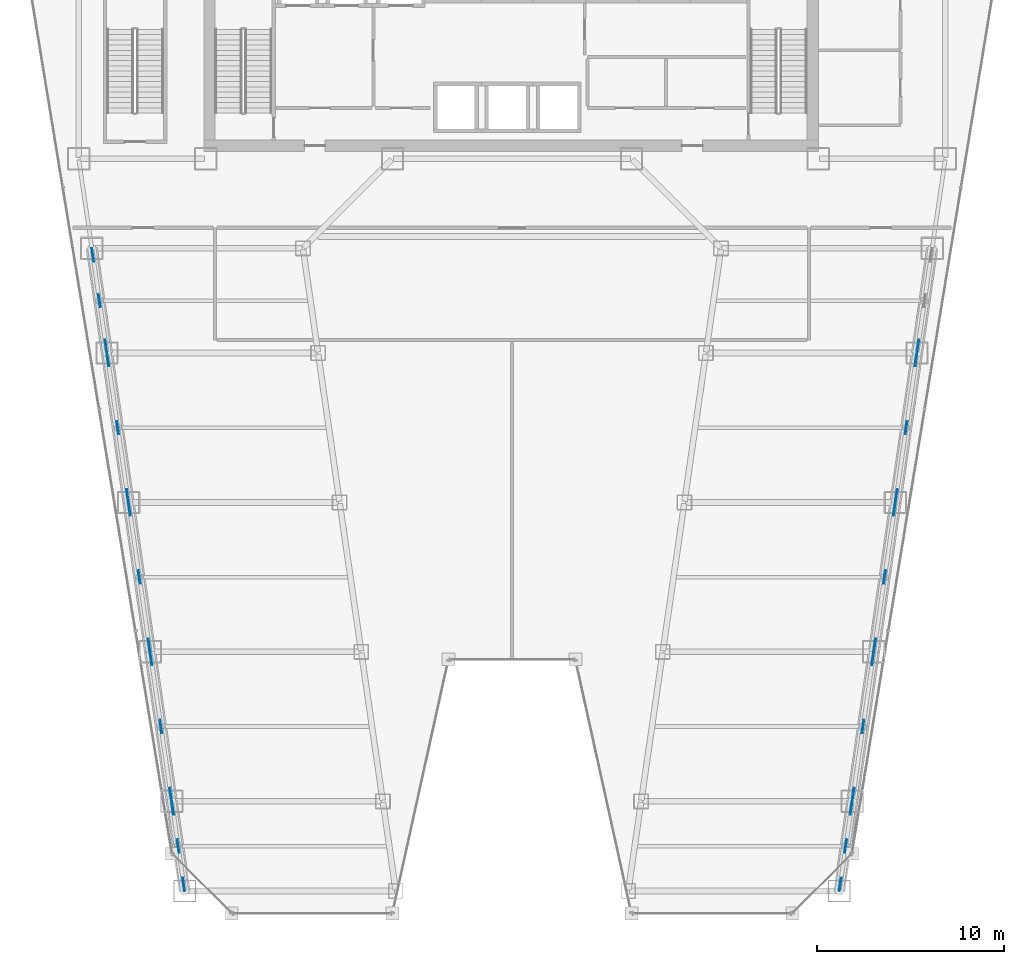
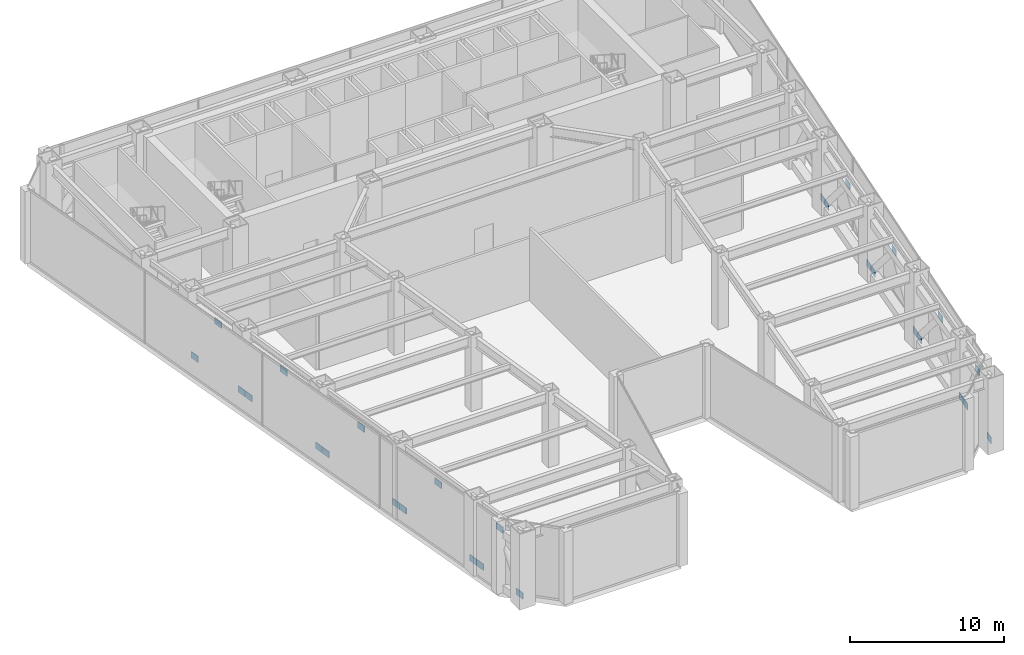
# One storey, part 29 of 35: 28 plates.
"""IFC4 building model written with IfcOpenShell, lengths in metres."""

from ifc_helpers import new_model, si_unit, direction, frame, origin, origin_2d, place, context, subcontext, project, spatial, rectangle, extrude, material, layer, layer_set, type_object, element, save


model = new_model("IFC4")

# Units and contexts
model_context = context("Model", 3, precision=1e-05, world=origin(), true_north=direction((0.0, 1.0)))
body_context = subcontext(model_context, "Body", "Model", "MODEL_VIEW")
ifc_project = project(units=[si_unit("LENGTHUNIT", "METRE"), si_unit("AREAUNIT", "SQUARE_METRE"), si_unit("VOLUMEUNIT", "CUBIC_METRE"), si_unit("PLANEANGLEUNIT", "RADIAN"), si_unit("MASSUNIT", "GRAM", prefix="KILO")], contexts=[model_context])

# Site, building, storey
site_placement = place(None, origin())
site = spatial("IfcSite", under=ifc_project, at=site_placement, CompositionType="ELEMENT")
building_placement = place(site_placement, origin())
building = spatial("IfcBuilding", under=site, at=building_placement, Name="Saevonmaru Cultural Tower", CompositionType="ELEMENT")
storey_placement = place(building_placement, frame((0.0, 0.0, 86.800048828125)))
storey = spatial("IfcBuildingStorey", under=building, at=storey_placement, Name="L18", CompositionType="ELEMENT", Elevation=86.800048828125)

# Plates
ifc_material = material(Name="Steel HSA600 (600 MPa)", Category="steel")
ifc_layer = layer(ifc_material, 0.044921875, Name="Steel HSA600 (600 MPa)")
ifc_layer_set = layer_set([ifc_layer], Name="Steel HSA600 (600 MPa)")
plate_type = type_object("IfcPlateType", Name="PL-GUSSET-BELT", PredefinedType="USERDEFINED", material=ifc_layer_set)
for number, where, z_axis, x_axis, name in (
    (1, (12.425048828125, 3.555908203125, 0.300048828125), (0.0, 0.0, 1.0), (-0.143095338912, 0.989708908711, 0.0), "L18 Truss Base Gusset Plate BW1-1"),
    (2, (11.8349609375, 7.64404296875, 0.300048828125), (0.0, 0.0, 1.0), (-0.143095338912, 0.989708908711, 0.0), "L18 Truss Base Gusset Plate BW1-2"),
    (3, (12.1298828125, 5.60009765625, 4.349853515625), (0.0, 0.0, 1.0), (-0.143095338912, 0.989708908711, 0.0), "L18 Truss Node Gusset Plate BW1"),
    (4, (11.73193359375, 8.35595703125, 0.300048828125), (0.0, 0.0, 1.0), (-0.142888051626, 0.989738856822, 0.0), "L18 Truss Base Gusset Plate BW2-1"),
    (5, (10.678955078125, 15.64404296875, 0.300048828125), (0.0, 0.0, 1.0), (-0.142888051626, 0.989738856822, 0.0), "L18 Truss Base Gusset Plate BW2-2"),
    (6, (11.2060546875, 12.0, 4.349853515625), (0.0, 0.0, 1.0), (-0.142888051626, 0.989738856822, 0.0), "L18 Truss Node Gusset Plate BW2"),
    (7, (10.576904296875, 16.35595703125, 0.300048828125), (0.0, 0.0, 1.0), (-0.143008969972, 0.989721392366, 0.0), "L18 Truss Base Gusset Plate BW3-1"),
    (8, (9.52294921875, 23.64404296875, 0.300048828125), (0.0, 0.0, 1.0), (-0.143008969972, 0.989721392366, 0.0), "L18 Truss Base Gusset Plate BW3-2"),
    (9, (10.050048828125, 20.0, 4.349853515625), (0.0, 0.0, 1.0), (-0.143008969972, 0.989721392366, 0.0), "L18 Truss Node Gusset Plate BW3"),
    (10, (9.4208984375, 24.35595703125, 0.300048828125), (0.0, 0.0, 1.0), (-0.142888051626, 0.989738856822, 0.0), "L18 Truss Base Gusset Plate BW4-1"),
    (11, (8.367919921875, 31.64404296875, 0.300048828125), (0.0, 0.0, 1.0), (-0.142888051626, 0.989738856822, 0.0), "L18 Truss Base Gusset Plate BW4-2"),
    (12, (8.89501953125, 28.0, 4.349853515625), (0.0, 0.0, 1.0), (-0.142888051626, 0.989738856822, 0.0), "L18 Truss Node Gusset Plate BW4"),
    (13, (8.26611328125, 32.35595703125, 0.300048828125), (0.0, 0.0, 1.0), (-0.142974422091, 0.989726383718, 0.0), "L18 Truss Base Gusset Plate BW5-1"),
    (14, (7.55908203125, 37.243896484375, 0.300048828125), (0.0, 0.0, 1.0), (-0.142974422091, 0.989726383718, 0.0), "L18 Truss Base Gusset Plate BW5-2"),
    (15, (7.912109375, 34.800048828125, 4.349853515625), (0.0, 0.0, 1.0), (-0.142974422091, 0.989726383718, 0.0), "L18 Truss Node Gusset Plate BW5"),
    (16, (47.574951171875, 3.555908203125, 0.300048828125), (0.0, 0.0, 1.0), (0.143095338912, 0.989708908711, 0.0), "L18 Truss Base Gusset Plate BE1-1"),
    (17, (48.1650390625, 7.64404296875, 0.300048828125), (0.0, 0.0, 1.0), (0.143095338912, 0.989708908711, 0.0), "L18 Truss Base Gusset Plate BE1-2"),
    (18, (47.8701171875, 5.60009765625, 4.349853515625), (0.0, 0.0, 1.0), (0.143095338912, 0.989708908711, 0.0), "L18 Truss Node Gusset Plate BE1"),
    (19, (48.26806640625, 8.35595703125, 0.300048828125), (0.0, 0.0, 1.0), (0.142888051626, 0.989738856822, 0.0), "L18 Truss Base Gusset Plate BE2-1"),
    (20, (49.321044921875, 15.64404296875, 0.300048828125), (0.0, 0.0, 1.0), (0.142888051626, 0.989738856822, 0.0), "L18 Truss Base Gusset Plate BE2-2"),
    (21, (48.7939453125, 12.0, 4.349853515625), (0.0, 0.0, 1.0), (0.142888051626, 0.989738856822, 0.0), "L18 Truss Node Gusset Plate BE2"),
    (22, (49.423095703125, 16.35595703125, 0.300048828125), (0.0, 0.0, 1.0), (0.143008969972, 0.989721392366, 0.0), "L18 Truss Base Gusset Plate BE3-1"),
    (23, (50.47705078125, 23.64404296875, 0.300048828125), (0.0, 0.0, 1.0), (0.143008969972, 0.989721392366, 0.0), "L18 Truss Base Gusset Plate BE3-2"),
    (24, (49.949951171875, 20.0, 4.349853515625), (0.0, 0.0, 1.0), (0.143008969972, 0.989721392366, 0.0), "L18 Truss Node Gusset Plate BE3"),
    (25, (50.5791015625, 24.35595703125, 0.300048828125), (0.0, 0.0, 1.0), (0.142888051626, 0.989738856822, 0.0), "L18 Truss Base Gusset Plate BE4-1"),
    (26, (51.632080078125, 31.64404296875, 0.300048828125), (0.0, 0.0, 1.0), (0.142888051626, 0.989738856822, 0.0), "L18 Truss Base Gusset Plate BE4-2"),
    (27, (51.10498046875, 28.0, 4.349853515625), (0.0, 0.0, 1.0), (0.142888051626, 0.989738856822, 0.0), "L18 Truss Node Gusset Plate BE4"),
    (28, (51.73388671875, 32.35595703125, 0.300048828125), (0.0, 0.0, 1.0), (0.142974422091, 0.989726383718, 0.0), "L18 Truss Base Gusset Plate BE5-1"),
):
    element("IfcPlate", number, at=place(storey_placement, frame(where, z_axis=z_axis, x_axis=x_axis)), inside=storey, type_object=plate_type, Name=name, ObjectType="GUSSET_PLATE", PredefinedType="USERDEFINED", context=body_context, shape_type="SweptSolid", body=[
        extrude(rectangle(XDim=0.719970703125, YDim=0.044921875, at=origin_2d()), origin(), (0.0, 0.0, 1.0), 0.5),
    ])

save(model, "model.ifc")
